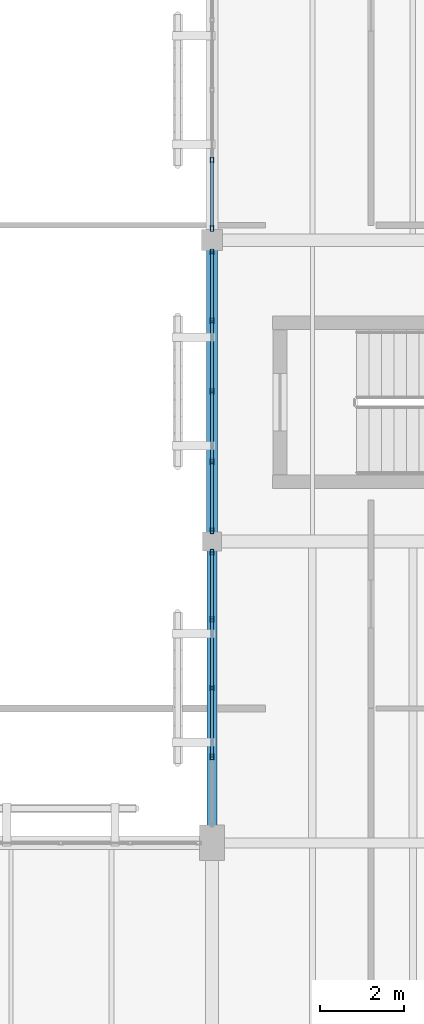
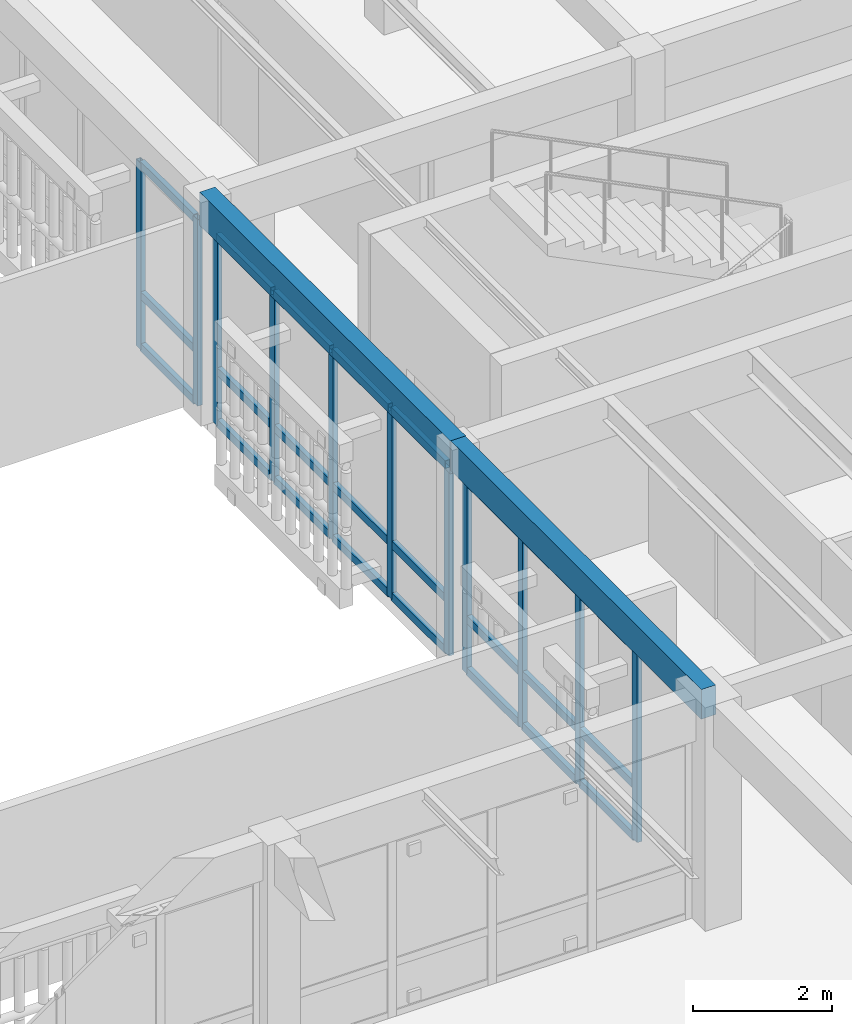
# One storey, part 104 of 170: 35 members, 2 beams, 3 elements without a shape of their own.
"""IFC4 building model written with IfcOpenShell, lengths in metres."""

import ifcopenshell
import ifcopenshell.guid

model = None  # the IFC model being written
_history = None  # IfcOwnerHistory: only IFC2X3 demands one
_inside = {}  # id of a spatial element -> (the spatial element, [elements in it])
_under = {}  # id of a project, library or spatial element -> (it, [spatial elements below it])
_declared = {}  # id of a project -> (the project, [libraries it declares])
_typed = {}  # id of a type object -> (the type object, [elements of that type])
_made_of = {}  # id of a material, layer set ... -> (it, [elements and type objects made of it])


def new_model(schema):
    """Start an empty IFC model of exactly this schema.

    Asked for "IFC4X3", IfcOpenShell would pick the latest addendum, in which some entities
    have other attributes; the version numbers below select the first issue.
    IFC2X3 requires an IfcOwnerHistory on every rooted entity: one is made here for all.
    """
    global model, _history
    if schema == "IFC4X3":
        model = ifcopenshell.file(schema_version=(4, 3, 0, 0))
    else:
        model = ifcopenshell.file(schema=schema)
    _inside.clear()
    _under.clear()
    _declared.clear()
    _typed.clear()
    _made_of.clear()
    _history = None
    if model.schema == "IFC2X3":
        org = make("IfcOrganization", Name="unknown")
        user = make(
            "IfcPersonAndOrganization",
            ThePerson=make("IfcPerson", FamilyName="unknown"),
            TheOrganization=org,
        )
        app = make(
            "IfcApplication",
            ApplicationDeveloper=org,
            Version="unknown",
            ApplicationFullName="unknown",
            ApplicationIdentifier="unknown",
        )
        _history = make(
            "IfcOwnerHistory",
            OwningUser=user,
            OwningApplication=app,
            ChangeAction="ADDED",
            CreationDate=0,
        )
    return model


def make(cls, **values):
    """One entity of the class cls with the attributes given. An attribute that is None is left unset."""
    return model.create_entity(
        cls, **{name: value for name, value in values.items() if value is not None}
    )


def rooted(cls, **values):
    """An entity with a GlobalId (a new one), such as an element, a storey or a relation."""
    return make(cls, GlobalId=ifcopenshell.guid.new(), OwnerHistory=_history, **values)


def si_unit(unit_type, name, prefix=None):
    """IfcSIUnit, for example si_unit("LENGTHUNIT", "METRE", prefix="MILLI")."""
    return make("IfcSIUnit", UnitType=unit_type, Prefix=prefix, Name=name)


def assignment(units):
    """IfcUnitAssignment: the units of a project."""
    return None if units is None else make("IfcUnitAssignment", Units=units)


def point(xyz):
    """IfcCartesianPoint."""
    return None if xyz is None else make("IfcCartesianPoint", Coordinates=xyz)


def direction(xyz):
    """IfcDirection."""
    return None if xyz is None else make("IfcDirection", DirectionRatios=xyz)


def frame(location, z_axis=None, x_axis=None):
    """IfcAxis2Placement3D, a coordinate frame: its origin and axes. An axis left out is left unset."""
    return make(
        "IfcAxis2Placement3D",
        Location=point(location),
        Axis=direction(z_axis),
        RefDirection=direction(x_axis),
    )


def frame_2d(location, x_axis=None):
    """IfcAxis2Placement2D, a coordinate frame in the plane: its origin and x axis."""
    return make(
        "IfcAxis2Placement2D", Location=point(location), RefDirection=direction(x_axis)
    )


def origin():
    """The frame at (0, 0, 0) with its axes left unset."""
    return frame((0.0, 0.0, 0.0))


def origin_2d():
    """The frame at (0, 0) in the plane with its x axis left unset."""
    return frame_2d((0.0, 0.0))


def place(relative_to, where):
    """IfcLocalPlacement: puts the frame where relative to a parent placement (None: the world)."""
    return make(
        "IfcLocalPlacement", PlacementRelTo=relative_to, RelativePlacement=where
    )


def context(
    kind, dimensions, precision=None, world=None, true_north=None, identifier=None
):
    """IfcGeometricRepresentationContext, for example the 3D "Model" context."""
    return make(
        "IfcGeometricRepresentationContext",
        ContextIdentifier=identifier,
        ContextType=kind,
        CoordinateSpaceDimension=dimensions,
        Precision=precision,
        WorldCoordinateSystem=world,
        TrueNorth=true_north,
    )


def subcontext(parent, identifier, kind, view, scale=None):
    """IfcGeometricRepresentationSubContext, for example "Body" below "Model"."""
    return make(
        "IfcGeometricRepresentationSubContext",
        ContextIdentifier=identifier,
        ContextType=kind,
        ParentContext=parent,
        TargetScale=scale,
        TargetView=view,
    )


def project(units=None, contexts=None):
    """IfcProject with its units and contexts."""
    return rooted(
        "IfcProject",
        Name="project",
        RepresentationContexts=contexts,
        UnitsInContext=assignment(units),
    )


def spatial(cls, under=None, at=None, **own):
    """A site, building, storey or space (cls), placed at a placement, below another one or the project."""
    s = rooted(cls, ObjectPlacement=at, **own)
    if under is not None:
        _under.setdefault(under.id(), (under, []))[1].append(s)
    return s


def profile(cls, at=None, kind="AREA", **sizes):
    """A parametric profile (cls). Its sizes go by their IFC names, for example OverallWidth=200.0."""
    return make(cls, ProfileType=kind, Position=at, **sizes)


def rectangle(**sizes):
    """IfcRectangleProfileDef."""
    return profile("IfcRectangleProfileDef", **sizes)


def hollow_rectangle(**sizes):
    """IfcRectangleHollowProfileDef."""
    return profile("IfcRectangleHollowProfileDef", **sizes)


def extrude(swept, where, along, depth):
    """IfcExtrudedAreaSolid: the profile swept, set in the frame where, extruded along a direction by depth."""
    return make(
        "IfcExtrudedAreaSolid",
        SweptArea=swept,
        Position=where,
        ExtrudedDirection=direction(along),
        Depth=depth,
    )


def shape(context_of_items, identifier, shape_type, items):
    """IfcShapeRepresentation: the items that make up one representation, for example the "Body"."""
    return make(
        "IfcShapeRepresentation",
        ContextOfItems=context_of_items,
        RepresentationIdentifier=identifier,
        RepresentationType=shape_type,
        Items=items,
    )


def material(Name=None, Category=None):
    """IfcMaterial."""
    return make("IfcMaterial", Name=Name, Category=Category)


def layer(
    of_material, thickness, ventilated=None, Name=None, Category=None, Priority=None
):
    """IfcMaterialLayer: one layer of a wall or slab, of a material (None: an air gap)."""
    return make(
        "IfcMaterialLayer",
        Material=of_material,
        LayerThickness=thickness,
        IsVentilated=ventilated,
        Name=Name,
        Category=Category,
        Priority=Priority,
    )


def layer_set(layers, Name=None):
    """IfcMaterialLayerSet."""
    return make("IfcMaterialLayerSet", MaterialLayers=layers, LayerSetName=Name)


def material_profile(
    of_material, cross_section, Name=None, Category=None, Priority=None
):
    """IfcMaterialProfile: a cross section and its material."""
    return make(
        "IfcMaterialProfile",
        Name=Name,
        Material=of_material,
        Profile=cross_section,
        Priority=Priority,
        Category=Category,
    )


def profile_set(profiles, Name=None, composite=None):
    """IfcMaterialProfileSet."""
    return make(
        "IfcMaterialProfileSet",
        Name=Name,
        MaterialProfiles=profiles,
        CompositeProfile=composite,
    )


def made_of(thing, what):
    """Note that an element or type object is made of a material, layer set ...; save() writes the relation."""
    if what is not None:
        _made_of.setdefault(what.id(), (what, []))[1].append(thing)
    return thing


def type_object(cls, material=None, **own):
    """A type object (cls), such as IfcWallType, which elements share."""
    return made_of(rooted(cls, **own), material)


def element(
    cls,
    number,
    at=None,
    inside=None,
    cuts=None,
    type_object=None,
    material=None,
    context=None,
    identifier="Body",
    shape_type=None,
    held_by="IfcProductDefinitionShape",
    body=None,
    shapes=None,
    **own,
):
    """One element of the class cls, such as IfcWall. Its Tag is "e" and its number.

    at: its placement. inside: the storey or other place that contains it. cuts: it is an
    opening in that element (IfcRelVoidsElement). A single representation is given by context,
    identifier, shape_type and body (its items); several are given by shapes. held_by: the class
    of the entity that holds the representations. save() writes the other relations.
    """
    e = rooted(cls, Tag="e%d" % number, ObjectPlacement=at, **own)
    if body is not None:
        shapes = [shape(context, identifier, shape_type, body)]
    if shapes is not None:
        e.Representation = make(held_by, Representations=shapes)
    if inside is not None:
        _inside.setdefault(inside.id(), (inside, []))[1].append(e)
    if cuts is not None:
        rooted(
            "IfcRelVoidsElement", RelatingBuildingElement=cuts, RelatedOpeningElement=e
        )
    if type_object is not None:
        _typed.setdefault(type_object.id(), (type_object, []))[1].append(e)
    return made_of(e, material)


def aggregate(whole, parts):
    """IfcRelAggregates: a whole, such as a stair, and the parts it consists of."""
    return rooted("IfcRelAggregates", RelatingObject=whole, RelatedObjects=parts)


def save(model, path):
    """Write the relations noted so far, then the file.

    IfcRelAggregates (storeys below a building ...), IfcRelContainedInSpatialStructure (elements
    in a storey), IfcRelDefinesByType, IfcRelAssociatesMaterial and IfcRelDeclares: one each for
    every whole, place, type object, material and project.
    """
    for whole, parts in _under.values():
        aggregate(whole, parts)
    for where, things in _inside.values():
        rooted(
            "IfcRelContainedInSpatialStructure",
            RelatedElements=things,
            RelatingStructure=where,
        )
    for kind, things in _typed.values():
        rooted("IfcRelDefinesByType", RelatedObjects=things, RelatingType=kind)
    for what, things in _made_of.values():
        rooted("IfcRelAssociatesMaterial", RelatedObjects=things, RelatingMaterial=what)
    for by, libraries in _declared.values():
        rooted("IfcRelDeclares", RelatingContext=by, RelatedDefinitions=libraries)
    model.write(path)


model = new_model("IFC4")

# Units and contexts
model_context = context("Model", 3, precision=1e-05, world=origin(), true_north=direction((0.0, 1.0)))
body_context = subcontext(model_context, "Body", "Model", "MODEL_VIEW")
ifc_project = project(units=[si_unit("LENGTHUNIT", "METRE"), si_unit("AREAUNIT", "SQUARE_METRE"), si_unit("VOLUMEUNIT", "CUBIC_METRE"), si_unit("PLANEANGLEUNIT", "RADIAN"), si_unit("MASSUNIT", "GRAM", prefix="KILO")], contexts=[model_context])

# Site, building, storey
site_placement = place(None, origin())
site = spatial("IfcSite", under=ifc_project, at=site_placement, CompositionType="ELEMENT")
building_placement = place(site_placement, origin())
building = spatial("IfcBuilding", under=site, at=building_placement, Name="Mazaris Harbour Polytechnic", CompositionType="ELEMENT")
storey_placement = place(building_placement, frame((0.0, 0.0, 5.39990234375)))
storey = spatial("IfcBuildingStorey", under=building, at=storey_placement, Name="L01", CompositionType="ELEMENT", Elevation=5.39990234375)

# Curtain wall, members
ifc_material_1 = material(Name="Anodised Bronze Aluminium and Low-E Glass", Category="aluminium")
ifc_layer = layer(ifc_material_1, 0.169921875, Name="Anodised Bronze Aluminium and Low-E Glass")
ifc_layer_set = layer_set([ifc_layer], Name="Anodised Bronze Aluminium and Low-E Glass")
curtain_wall_type = type_object("IfcCurtainWallType", Name="Studio North-Light Curtain Wall", PredefinedType="NOTDEFINED", material=ifc_layer_set)
curtain_wall_1_placement = place(storey_placement, origin())
curtain_wall_1 = element("IfcCurtainWall", 1, at=curtain_wall_1_placement, inside=storey, type_object=curtain_wall_type, Name="V5 L01 Curtain Wall 223", PredefinedType="NOTDEFINED")
ifc_material_2 = material(Name="Anodised Bronze Steel S355", Category="steel")
ifc_material_profile_1 = material_profile(ifc_material_2, hollow_rectangle(XDim=0.080078125, YDim=0.139892578125, WallThickness=0.00634765625, at=origin_2d()), Name="RHS 80x140x6.3")
ifc_profile_set_1 = profile_set([ifc_material_profile_1], Name="Anodised Bronze Steel S355")
member_type_1 = type_object("IfcMemberType", Name="Curtain Mullion RHS80x140", PredefinedType="MULLION", material=ifc_profile_set_1)
member_1_placement = place(storey_placement, frame((158.39990234375, 68.14306640625, 0.0), z_axis=(0.0, 0.0, 1.0), x_axis=(1.0, 0.0, 0.0)))
member_1 = element("IfcMember", 2, at=member_1_placement, type_object=member_type_1, Name="CW-03 mullion 1", PredefinedType="MULLION", context=body_context, shape_type="SweptSolid", body=[
    extrude(hollow_rectangle(XDim=0.080078125, YDim=0.139892578125, WallThickness=0.00634765625, at=origin_2d()), origin(), (0.0, 0.0, 1.0), 3.39013671875),
])
member_2_placement = place(storey_placement, frame((158.39990234375, 66.54150390625, 0.0), z_axis=(0.0, 0.0, 1.0), x_axis=(1.0, 0.0, 0.0)))
member_2 = element("IfcMember", 3, at=member_2_placement, type_object=member_type_1, Name="CW-03 mullion 2", PredefinedType="MULLION", context=body_context, shape_type="SweptSolid", body=[
    extrude(hollow_rectangle(XDim=0.080078125, YDim=0.139892578125, WallThickness=0.00634765625, at=origin_2d()), origin(), (0.0, 0.0, 1.0), 3.39013671875),
])
member_3_placement = place(storey_placement, frame((158.39990234375, 64.89990234375, 0.0), z_axis=(0.0, 0.0, 1.0), x_axis=(1.0, 0.0, 0.0)))
member_3 = element("IfcMember", 4, at=member_3_placement, type_object=member_type_1, Name="CW-03 mullion 3", PredefinedType="MULLION", context=body_context, shape_type="SweptSolid", body=[
    extrude(hollow_rectangle(XDim=0.080078125, YDim=0.139892578125, WallThickness=0.00634765625, at=origin_2d()), origin(), (0.0, 0.0, 1.0), 3.39013671875),
])
member_4_placement = place(storey_placement, frame((158.39990234375, 63.258544921875, 0.0), z_axis=(0.0, 0.0, 1.0), x_axis=(1.0, 0.0, 0.0)))
member_4 = element("IfcMember", 5, at=member_4_placement, type_object=member_type_1, Name="CW-03 mullion 4", PredefinedType="MULLION", context=body_context, shape_type="SweptSolid", body=[
    extrude(hollow_rectangle(XDim=0.080078125, YDim=0.139892578125, WallThickness=0.00634765625, at=origin_2d()), origin(), (0.0, 0.0, 1.0), 3.39013671875),
])

curtain_wall_2_placement = place(storey_placement, origin())
curtain_wall_2 = element("IfcCurtainWall", 6, at=curtain_wall_2_placement, inside=storey, type_object=curtain_wall_type, Name="V5 L01 Curtain Wall 224", PredefinedType="NOTDEFINED")
member_5_placement = place(storey_placement, frame((158.39990234375, 75.318115234375, 0.0), z_axis=(0.0, 0.0, 1.0), x_axis=(1.0, 0.0, 0.0)))
member_5 = element("IfcMember", 7, at=member_5_placement, type_object=member_type_1, Name="CW-03 mullion 1", PredefinedType="MULLION", context=body_context, shape_type="SweptSolid", body=[
    extrude(hollow_rectangle(XDim=0.080078125, YDim=0.139892578125, WallThickness=0.00634765625, at=origin_2d()), origin(), (0.0, 0.0, 1.0), 3.330078125),
])
member_6_placement = place(storey_placement, frame((158.39990234375, 73.6728515625, 0.0), z_axis=(0.0, 0.0, 1.0), x_axis=(1.0, 0.0, 0.0)))
member_6 = element("IfcMember", 8, at=member_6_placement, type_object=member_type_1, Name="CW-03 mullion 2", PredefinedType="MULLION", context=body_context, shape_type="SweptSolid", body=[
    extrude(hollow_rectangle(XDim=0.080078125, YDim=0.139892578125, WallThickness=0.00634765625, at=origin_2d()), origin(), (0.0, 0.0, 1.0), 3.330078125),
])
member_7_placement = place(storey_placement, frame((158.39990234375, 71.987548828125, 0.0), z_axis=(0.0, 0.0, 1.0), x_axis=(1.0, 0.0, 0.0)))
member_7 = element("IfcMember", 9, at=member_7_placement, type_object=member_type_1, Name="CW-03 mullion 3", PredefinedType="MULLION", context=body_context, shape_type="SweptSolid", body=[
    extrude(hollow_rectangle(XDim=0.080078125, YDim=0.139892578125, WallThickness=0.00634765625, at=origin_2d()), origin(), (0.0, 0.0, 1.0), 3.330078125),
])
member_8_placement = place(storey_placement, frame((158.39990234375, 70.30224609375, 0.0), z_axis=(0.0, 0.0, 1.0), x_axis=(1.0, 0.0, 0.0)))
member_8 = element("IfcMember", 10, at=member_8_placement, type_object=member_type_1, Name="CW-03 mullion 4", PredefinedType="MULLION", context=body_context, shape_type="SweptSolid", body=[
    extrude(hollow_rectangle(XDim=0.080078125, YDim=0.139892578125, WallThickness=0.00634765625, at=origin_2d()), origin(), (0.0, 0.0, 1.0), 3.330078125),
])
member_9_placement = place(storey_placement, frame((158.39990234375, 68.656982421875, 0.0), z_axis=(0.0, 0.0, 1.0), x_axis=(1.0, 0.0, 0.0)))
member_9 = element("IfcMember", 11, at=member_9_placement, type_object=member_type_1, Name="CW-03 mullion 5", PredefinedType="MULLION", context=body_context, shape_type="SweptSolid", body=[
    extrude(hollow_rectangle(XDim=0.080078125, YDim=0.139892578125, WallThickness=0.00634765625, at=origin_2d()), origin(), (0.0, 0.0, 1.0), 3.330078125),
])

curtain_wall_3_placement = place(storey_placement, origin())
curtain_wall_3 = element("IfcCurtainWall", 12, at=curtain_wall_3_placement, inside=storey, type_object=curtain_wall_type, Name="V5 L01 Curtain Wall 225", PredefinedType="NOTDEFINED")
member_10_placement = place(storey_placement, frame((158.39990234375, 77.5146484375, 0.0), z_axis=(0.0, 0.0, 1.0), x_axis=(1.0, 0.0, 0.0)))
member_10 = element("IfcMember", 13, at=member_10_placement, type_object=member_type_1, Name="CW-03 mullion 4", PredefinedType="MULLION", context=body_context, shape_type="SweptSolid", body=[
    extrude(hollow_rectangle(XDim=0.080078125, YDim=0.139892578125, WallThickness=0.00634765625, at=origin_2d()), origin(), (0.0, 0.0, 1.0), 3.27001953125),
])
member_11_placement = place(storey_placement, frame((158.39990234375, 75.882080078125, 0.0), z_axis=(0.0, 0.0, 1.0), x_axis=(1.0, 0.0, 0.0)))
member_11 = element("IfcMember", 14, at=member_11_placement, type_object=member_type_1, Name="CW-03 mullion 5", PredefinedType="MULLION", context=body_context, shape_type="SweptSolid", body=[
    extrude(hollow_rectangle(XDim=0.080078125, YDim=0.139892578125, WallThickness=0.00634765625, at=origin_2d()), origin(), (0.0, 0.0, 1.0), 3.27001953125),
])

# Member
ifc_material_3 = material(Name="Anodised Bronze Steel S355", Category="steel")
ifc_material_profile_2 = material_profile(ifc_material_3, hollow_rectangle(XDim=0.080078125, YDim=0.139892578125, WallThickness=0.00634765625, at=origin_2d()), Name="RHS 80x140x6.3")
ifc_profile_set_2 = profile_set([ifc_material_profile_2], Name="Anodised Bronze Steel S355")
member_type_2 = type_object("IfcMemberType", Name="Curtain Transom RHS80x140", PredefinedType="USERDEFINED", material=ifc_profile_set_2)
member_12_placement = place(storey_placement, frame((158.39990234375, 68.10302734375, 0.0400390625), z_axis=(0.0, -1.0, 0.0), x_axis=(1.0, 0.0, 0.0)))
member_12 = element("IfcMember", 15, at=member_12_placement, type_object=member_type_2, Name="CW-03 transom 1.1", ObjectType="TRANSOM", PredefinedType="USERDEFINED", context=body_context, shape_type="SweptSolid", body=[
    extrude(hollow_rectangle(XDim=0.080078125, YDim=0.139892578125, WallThickness=0.00634765625, at=origin_2d()), origin(), (0.0, 0.0, 1.0), 1.521484375),
])

member_13_placement = place(storey_placement, frame((158.39990234375, 68.10302734375, 0.9501953125), z_axis=(0.0, -1.0, 0.0), x_axis=(1.0, 0.0, 0.0)))
member_13 = element("IfcMember", 16, at=member_13_placement, type_object=member_type_2, Name="CW-03 transom 1.2", ObjectType="TRANSOM", PredefinedType="USERDEFINED", context=body_context, shape_type="SweptSolid", body=[
    extrude(hollow_rectangle(XDim=0.080078125, YDim=0.139892578125, WallThickness=0.00634765625, at=origin_2d()), origin(), (0.0, 0.0, 1.0), 1.521484375),
])

member_14_placement = place(storey_placement, frame((158.39990234375, 68.10302734375, 3.35009765625), z_axis=(0.0, -1.0, 0.0), x_axis=(1.0, 0.0, 0.0)))
member_14 = element("IfcMember", 17, at=member_14_placement, type_object=member_type_2, Name="CW-03 transom 1.3", ObjectType="TRANSOM", PredefinedType="USERDEFINED", context=body_context, shape_type="SweptSolid", body=[
    extrude(hollow_rectangle(XDim=0.080078125, YDim=0.139892578125, WallThickness=0.00634765625, at=origin_2d()), origin(), (0.0, 0.0, 1.0), 1.521484375),
])

member_15_placement = place(storey_placement, frame((158.39990234375, 66.50146484375, 0.0400390625), z_axis=(0.0, -1.0, 0.0), x_axis=(1.0, 0.0, 0.0)))
member_15 = element("IfcMember", 18, at=member_15_placement, type_object=member_type_2, Name="CW-03 transom 2.1", ObjectType="TRANSOM", PredefinedType="USERDEFINED", context=body_context, shape_type="SweptSolid", body=[
    extrude(hollow_rectangle(XDim=0.080078125, YDim=0.139892578125, WallThickness=0.00634765625, at=origin_2d()), origin(), (0.0, 0.0, 1.0), 1.5615234375),
])

member_16_placement = place(storey_placement, frame((158.39990234375, 66.50146484375, 0.9501953125), z_axis=(0.0, -1.0, 0.0), x_axis=(1.0, 0.0, 0.0)))
member_16 = element("IfcMember", 19, at=member_16_placement, type_object=member_type_2, Name="CW-03 transom 2.2", ObjectType="TRANSOM", PredefinedType="USERDEFINED", context=body_context, shape_type="SweptSolid", body=[
    extrude(hollow_rectangle(XDim=0.080078125, YDim=0.139892578125, WallThickness=0.00634765625, at=origin_2d()), origin(), (0.0, 0.0, 1.0), 1.5615234375),
])

member_17_placement = place(storey_placement, frame((158.39990234375, 66.50146484375, 3.35009765625), z_axis=(0.0, -1.0, 0.0), x_axis=(1.0, 0.0, 0.0)))
member_17 = element("IfcMember", 20, at=member_17_placement, type_object=member_type_2, Name="CW-03 transom 2.3", ObjectType="TRANSOM", PredefinedType="USERDEFINED", context=body_context, shape_type="SweptSolid", body=[
    extrude(hollow_rectangle(XDim=0.080078125, YDim=0.139892578125, WallThickness=0.00634765625, at=origin_2d()), origin(), (0.0, 0.0, 1.0), 1.5615234375),
])

member_18_placement = place(storey_placement, frame((158.39990234375, 64.860107421875, 0.0400390625), z_axis=(0.0, -1.0, 0.0), x_axis=(1.0, 0.0, 0.0)))
member_18 = element("IfcMember", 21, at=member_18_placement, type_object=member_type_2, Name="CW-03 transom 3.1", ObjectType="TRANSOM", PredefinedType="USERDEFINED", context=body_context, shape_type="SweptSolid", body=[
    extrude(hollow_rectangle(XDim=0.080078125, YDim=0.139892578125, WallThickness=0.00634765625, at=origin_2d()), origin(), (0.0, 0.0, 1.0), 1.5615234375),
])

member_19_placement = place(storey_placement, frame((158.39990234375, 64.860107421875, 0.9501953125), z_axis=(0.0, -1.0, 0.0), x_axis=(1.0, 0.0, 0.0)))
member_19 = element("IfcMember", 22, at=member_19_placement, type_object=member_type_2, Name="CW-03 transom 3.2", ObjectType="TRANSOM", PredefinedType="USERDEFINED", context=body_context, shape_type="SweptSolid", body=[
    extrude(hollow_rectangle(XDim=0.080078125, YDim=0.139892578125, WallThickness=0.00634765625, at=origin_2d()), origin(), (0.0, 0.0, 1.0), 1.5615234375),
])

member_20_placement = place(storey_placement, frame((158.39990234375, 64.860107421875, 3.35009765625), z_axis=(0.0, -1.0, 0.0), x_axis=(1.0, 0.0, 0.0)))
member_20 = element("IfcMember", 23, at=member_20_placement, type_object=member_type_2, Name="CW-03 transom 3.3", ObjectType="TRANSOM", PredefinedType="USERDEFINED", context=body_context, shape_type="SweptSolid", body=[
    extrude(hollow_rectangle(XDim=0.080078125, YDim=0.139892578125, WallThickness=0.00634765625, at=origin_2d()), origin(), (0.0, 0.0, 1.0), 1.5615234375),
])

aggregate(curtain_wall_1, [member_1, member_2, member_3, member_4, member_12, member_13, member_14, member_15, member_16, member_17, member_18, member_19, member_20])

member_21_placement = place(storey_placement, frame((158.39990234375, 75.278076171875, 0.0400390625), z_axis=(0.0, -1.0, 0.0), x_axis=(1.0, 0.0, 0.0)))
member_21 = element("IfcMember", 24, at=member_21_placement, type_object=member_type_2, Name="CW-03 transom 1.1", ObjectType="TRANSOM", PredefinedType="USERDEFINED", context=body_context, shape_type="SweptSolid", body=[
    extrude(hollow_rectangle(XDim=0.080078125, YDim=0.139892578125, WallThickness=0.00634765625, at=origin_2d()), origin(), (0.0, 0.0, 1.0), 1.5654296875),
])

member_22_placement = place(storey_placement, frame((158.39990234375, 75.278076171875, 0.9501953125), z_axis=(0.0, -1.0, 0.0), x_axis=(1.0, 0.0, 0.0)))
member_22 = element("IfcMember", 25, at=member_22_placement, type_object=member_type_2, Name="CW-03 transom 1.2", ObjectType="TRANSOM", PredefinedType="USERDEFINED", context=body_context, shape_type="SweptSolid", body=[
    extrude(hollow_rectangle(XDim=0.080078125, YDim=0.139892578125, WallThickness=0.00634765625, at=origin_2d()), origin(), (0.0, 0.0, 1.0), 1.5654296875),
])

member_23_placement = place(storey_placement, frame((158.39990234375, 75.278076171875, 3.2900390625), z_axis=(0.0, -1.0, 0.0), x_axis=(1.0, 0.0, 0.0)))
member_23 = element("IfcMember", 26, at=member_23_placement, type_object=member_type_2, Name="CW-03 transom 1.3", ObjectType="TRANSOM", PredefinedType="USERDEFINED", context=body_context, shape_type="SweptSolid", body=[
    extrude(hollow_rectangle(XDim=0.080078125, YDim=0.139892578125, WallThickness=0.00634765625, at=origin_2d()), origin(), (0.0, 0.0, 1.0), 1.5654296875),
])

member_24_placement = place(storey_placement, frame((158.39990234375, 73.6328125, 0.0400390625), z_axis=(0.0, -1.0, 0.0), x_axis=(1.0, 0.0, 0.0)))
member_24 = element("IfcMember", 27, at=member_24_placement, type_object=member_type_2, Name="CW-03 transom 2.1", ObjectType="TRANSOM", PredefinedType="USERDEFINED", context=body_context, shape_type="SweptSolid", body=[
    extrude(hollow_rectangle(XDim=0.080078125, YDim=0.139892578125, WallThickness=0.00634765625, at=origin_2d()), origin(), (0.0, 0.0, 1.0), 1.605224609375),
])

member_25_placement = place(storey_placement, frame((158.39990234375, 73.6328125, 0.9501953125), z_axis=(0.0, -1.0, 0.0), x_axis=(1.0, 0.0, 0.0)))
member_25 = element("IfcMember", 28, at=member_25_placement, type_object=member_type_2, Name="CW-03 transom 2.2", ObjectType="TRANSOM", PredefinedType="USERDEFINED", context=body_context, shape_type="SweptSolid", body=[
    extrude(hollow_rectangle(XDim=0.080078125, YDim=0.139892578125, WallThickness=0.00634765625, at=origin_2d()), origin(), (0.0, 0.0, 1.0), 1.605224609375),
])

member_26_placement = place(storey_placement, frame((158.39990234375, 73.6328125, 3.2900390625), z_axis=(0.0, -1.0, 0.0), x_axis=(1.0, 0.0, 0.0)))
member_26 = element("IfcMember", 29, at=member_26_placement, type_object=member_type_2, Name="CW-03 transom 2.3", ObjectType="TRANSOM", PredefinedType="USERDEFINED", context=body_context, shape_type="SweptSolid", body=[
    extrude(hollow_rectangle(XDim=0.080078125, YDim=0.139892578125, WallThickness=0.00634765625, at=origin_2d()), origin(), (0.0, 0.0, 1.0), 1.605224609375),
])

member_27_placement = place(storey_placement, frame((158.39990234375, 71.947509765625, 0.0400390625), z_axis=(0.0, -1.0, 0.0), x_axis=(1.0, 0.0, 0.0)))
member_27 = element("IfcMember", 30, at=member_27_placement, type_object=member_type_2, Name="CW-03 transom 3.1", ObjectType="TRANSOM", PredefinedType="USERDEFINED", context=body_context, shape_type="SweptSolid", body=[
    extrude(hollow_rectangle(XDim=0.080078125, YDim=0.139892578125, WallThickness=0.00634765625, at=origin_2d()), origin(), (0.0, 0.0, 1.0), 1.605224609375),
])

member_28_placement = place(storey_placement, frame((158.39990234375, 71.947509765625, 0.9501953125), z_axis=(0.0, -1.0, 0.0), x_axis=(1.0, 0.0, 0.0)))
member_28 = element("IfcMember", 31, at=member_28_placement, type_object=member_type_2, Name="CW-03 transom 3.2", ObjectType="TRANSOM", PredefinedType="USERDEFINED", context=body_context, shape_type="SweptSolid", body=[
    extrude(hollow_rectangle(XDim=0.080078125, YDim=0.139892578125, WallThickness=0.00634765625, at=origin_2d()), origin(), (0.0, 0.0, 1.0), 1.605224609375),
])

member_29_placement = place(storey_placement, frame((158.39990234375, 71.947509765625, 3.2900390625), z_axis=(0.0, -1.0, 0.0), x_axis=(1.0, 0.0, 0.0)))
member_29 = element("IfcMember", 32, at=member_29_placement, type_object=member_type_2, Name="CW-03 transom 3.3", ObjectType="TRANSOM", PredefinedType="USERDEFINED", context=body_context, shape_type="SweptSolid", body=[
    extrude(hollow_rectangle(XDim=0.080078125, YDim=0.139892578125, WallThickness=0.00634765625, at=origin_2d()), origin(), (0.0, 0.0, 1.0), 1.605224609375),
])

member_30_placement = place(storey_placement, frame((158.39990234375, 70.26220703125, 0.0400390625), z_axis=(0.0, -1.0, 0.0), x_axis=(1.0, 0.0, 0.0)))
member_30 = element("IfcMember", 33, at=member_30_placement, type_object=member_type_2, Name="CW-03 transom 4.1", ObjectType="TRANSOM", PredefinedType="USERDEFINED", context=body_context, shape_type="SweptSolid", body=[
    extrude(hollow_rectangle(XDim=0.080078125, YDim=0.139892578125, WallThickness=0.00634765625, at=origin_2d()), origin(), (0.0, 0.0, 1.0), 1.565185546875),
])

member_31_placement = place(storey_placement, frame((158.39990234375, 70.26220703125, 0.9501953125), z_axis=(0.0, -1.0, 0.0), x_axis=(1.0, 0.0, 0.0)))
member_31 = element("IfcMember", 34, at=member_31_placement, type_object=member_type_2, Name="CW-03 transom 4.2", ObjectType="TRANSOM", PredefinedType="USERDEFINED", context=body_context, shape_type="SweptSolid", body=[
    extrude(hollow_rectangle(XDim=0.080078125, YDim=0.139892578125, WallThickness=0.00634765625, at=origin_2d()), origin(), (0.0, 0.0, 1.0), 1.565185546875),
])

member_32_placement = place(storey_placement, frame((158.39990234375, 70.26220703125, 3.2900390625), z_axis=(0.0, -1.0, 0.0), x_axis=(1.0, 0.0, 0.0)))
member_32 = element("IfcMember", 35, at=member_32_placement, type_object=member_type_2, Name="CW-03 transom 4.3", ObjectType="TRANSOM", PredefinedType="USERDEFINED", context=body_context, shape_type="SweptSolid", body=[
    extrude(hollow_rectangle(XDim=0.080078125, YDim=0.139892578125, WallThickness=0.00634765625, at=origin_2d()), origin(), (0.0, 0.0, 1.0), 1.565185546875),
])

aggregate(curtain_wall_2, [member_5, member_6, member_7, member_8, member_9, member_21, member_22, member_23, member_24, member_25, member_26, member_27, member_28, member_29, member_30, member_31, member_32])

member_33_placement = place(storey_placement, frame((158.39990234375, 77.474853515625, 0.0400390625), z_axis=(0.0, -1.0, 0.0), x_axis=(1.0, 0.0, 0.0)))
member_33 = element("IfcMember", 36, at=member_33_placement, type_object=member_type_2, Name="CW-03 transom 4.1", ObjectType="TRANSOM", PredefinedType="USERDEFINED", context=body_context, shape_type="SweptSolid", body=[
    extrude(hollow_rectangle(XDim=0.080078125, YDim=0.139892578125, WallThickness=0.00634765625, at=origin_2d()), origin(), (0.0, 0.0, 1.0), 1.552734375),
])

member_34_placement = place(storey_placement, frame((158.39990234375, 77.474853515625, 0.9501953125), z_axis=(0.0, -1.0, 0.0), x_axis=(1.0, 0.0, 0.0)))
member_34 = element("IfcMember", 37, at=member_34_placement, type_object=member_type_2, Name="CW-03 transom 4.2", ObjectType="TRANSOM", PredefinedType="USERDEFINED", context=body_context, shape_type="SweptSolid", body=[
    extrude(hollow_rectangle(XDim=0.080078125, YDim=0.139892578125, WallThickness=0.00634765625, at=origin_2d()), origin(), (0.0, 0.0, 1.0), 1.552734375),
])

member_35_placement = place(storey_placement, frame((158.39990234375, 77.474853515625, 3.22998046875), z_axis=(0.0, -1.0, 0.0), x_axis=(1.0, 0.0, 0.0)))
member_35 = element("IfcMember", 38, at=member_35_placement, type_object=member_type_2, Name="CW-03 transom 4.3", ObjectType="TRANSOM", PredefinedType="USERDEFINED", context=body_context, shape_type="SweptSolid", body=[
    extrude(hollow_rectangle(XDim=0.080078125, YDim=0.139892578125, WallThickness=0.00634765625, at=origin_2d()), origin(), (0.0, 0.0, 1.0), 1.552734375),
])

aggregate(curtain_wall_3, [member_10, member_11, member_33, member_34, member_35])

# Beams
ifc_material_4 = material(Name="Glulam GL32h", Category="wood")
ifc_material_profile_3 = material_profile(ifc_material_4, rectangle(XDim=0.239990234375, YDim=0.52001953125, at=origin_2d()), Name="RECT240x520")
ifc_profile_set_3 = profile_set([ifc_material_profile_3], Name="Glulam GL32h")
beam_type_1 = type_object("IfcBeamType", Name="Glulam Girder 240x520", PredefinedType="BEAM", material=ifc_profile_set_3)
beam_1_placement = place(storey_placement, frame((158.39990234375, 61.199951171875, 3.66015625), z_axis=(0.0, 1.0, 0.0), x_axis=(-1.0, 0.0, 0.0)))
element("IfcBeam", 39, at=beam_1_placement, inside=storey, type_object=beam_type_1, Name="V5 L01 Tie Girder 3005", PredefinedType="BEAM", context=body_context, shape_type="SweptSolid", body=[
    extrude(rectangle(XDim=0.239990234375, YDim=0.52001953125, at=origin_2d()), origin(), (0.0, 0.0, 1.0), 7.199951171875),
])
ifc_material_5 = material(Name="Glulam GL32h", Category="wood")
ifc_material_profile_4 = material_profile(ifc_material_5, rectangle(XDim=0.260009765625, YDim=0.580078125, at=origin_2d()), Name="RECT260x580")
ifc_profile_set_4 = profile_set([ifc_material_profile_4], Name="Glulam GL32h")
beam_type_2 = type_object("IfcBeamType", Name="Glulam Girder 260x580", PredefinedType="BEAM", material=ifc_profile_set_4)
beam_2_placement = place(storey_placement, frame((158.39990234375, 68.39990234375, 3.630126953125), z_axis=(0.0, 1.0, 0.0), x_axis=(-1.0, 0.0, 0.0)))
element("IfcBeam", 40, at=beam_2_placement, inside=storey, type_object=beam_type_2, Name="V5 L01 Tie Girder 3006", PredefinedType="BEAM", context=body_context, shape_type="SweptSolid", body=[
    extrude(rectangle(XDim=0.260009765625, YDim=0.580078125, at=origin_2d()), origin(), (0.0, 0.0, 1.0), 7.2001953125),
])

save(model, "model.ifc")
